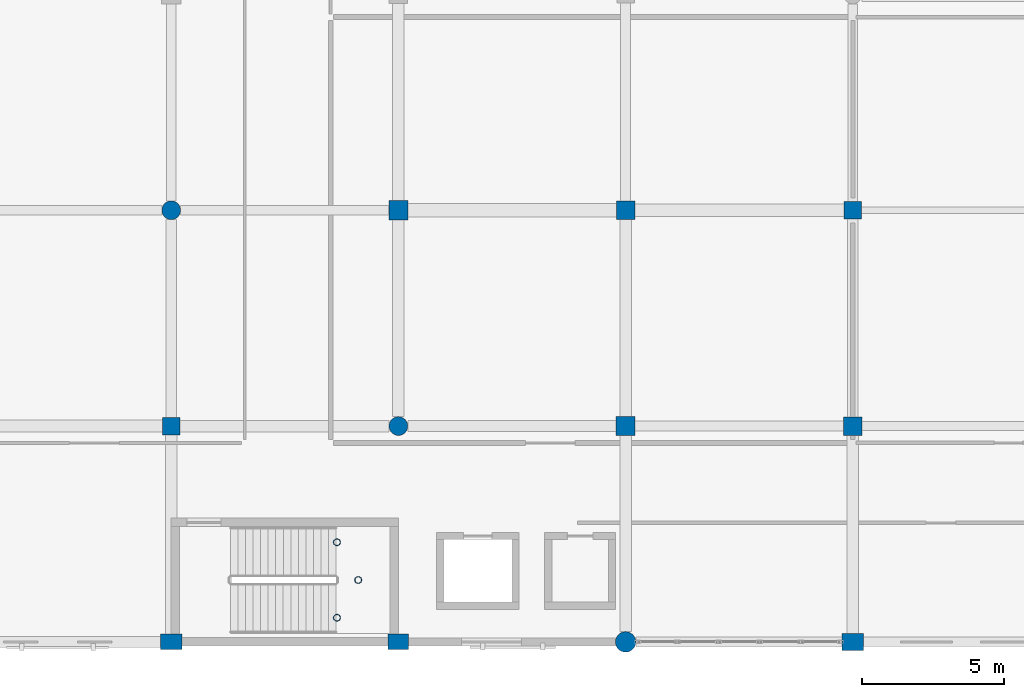
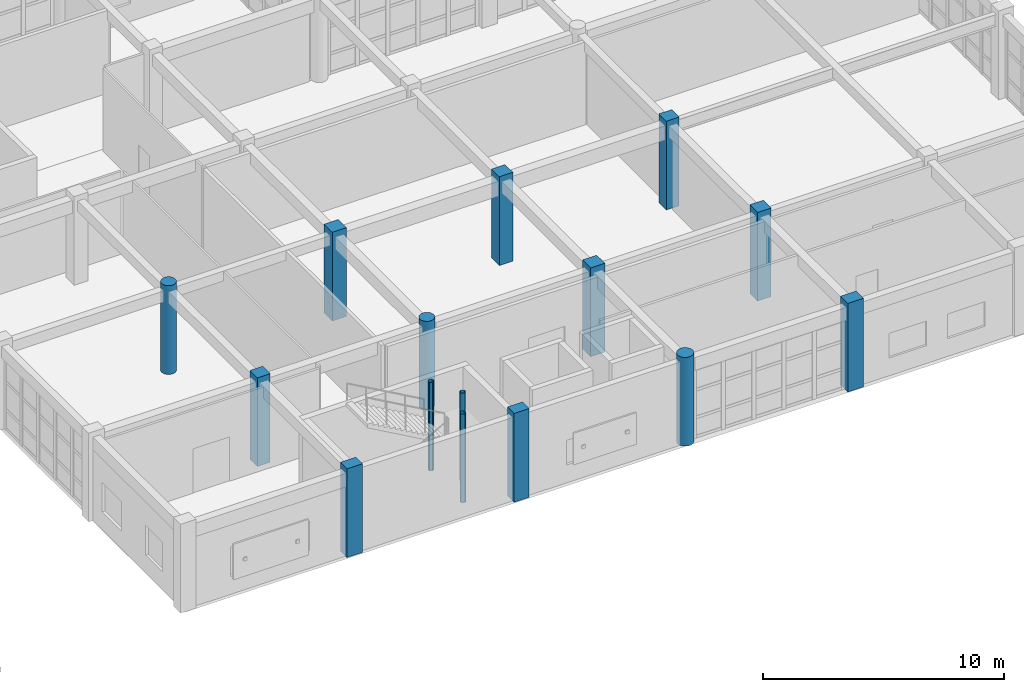
# One storey, part 27 of 160: 15 columns.
"""IFC4 building model written with IfcOpenShell, lengths in metres."""

from ifc_helpers import new_model, si_unit, direction, frame, origin, origin_2d, place, context, subcontext, project, spatial, rectangle, circle, hollow_circle, extrude, material, material_profile, profile_set, type_object, element, save


model = new_model("IFC4")

# Units and contexts
model_context = context("Model", 3, precision=1e-05, world=origin(), true_north=direction((0.0, 1.0)))
body_context = subcontext(model_context, "Body", "Model", "MODEL_VIEW")
ifc_project = project(units=[si_unit("LENGTHUNIT", "METRE"), si_unit("AREAUNIT", "SQUARE_METRE"), si_unit("VOLUMEUNIT", "CUBIC_METRE"), si_unit("PLANEANGLEUNIT", "RADIAN"), si_unit("MASSUNIT", "GRAM", prefix="KILO")], contexts=[model_context])

# Site, building, storey
site_placement = place(None, origin())
site = spatial("IfcSite", under=ifc_project, at=site_placement, CompositionType="ELEMENT")
building_placement = place(site_placement, origin())
building = spatial("IfcBuilding", under=site, at=building_placement, Name="Kharva Crest Polytechnic", CompositionType="ELEMENT")
storey_placement = place(building_placement, frame((0.0, 0.0, 4.5)))
storey = spatial("IfcBuildingStorey", under=building, at=storey_placement, Name="L01", CompositionType="ELEMENT", Elevation=4.5)

# Columns
ifc_material_1 = material(Name="Concrete C40/50", Category="concrete")
ifc_material_profile_1 = material_profile(ifc_material_1, rectangle(XDim=0.719970703125, YDim=0.550048828125, at=origin_2d()), Name="RECT 720 X 550")
ifc_profile_set_1 = profile_set([ifc_material_profile_1], Name="Concrete C40/50")
column_type_1 = type_object("IfcColumnType", Name="COL-EXT-720X550", PredefinedType="COLUMN", material=ifc_profile_set_1)
column_1_placement = place(storey_placement, frame((136.800048828125, 0.0, 0.0), z_axis=(0.0, 0.0, 1.0), x_axis=(1.0, 0.0, 0.0)))
element("IfcColumn", 1, at=column_1_placement, inside=storey, type_object=column_type_1, Name="L01 Column 18/A", PredefinedType="COLUMN", context=body_context, shape_type="SweptSolid", body=[
    extrude(rectangle(XDim=0.719970703125, YDim=0.550048828125, at=origin_2d()), origin(), (0.0, 0.0, 1.0), 4.5),
])
ifc_material_profile_2 = material_profile(ifc_material_1, rectangle(XDim=0.75, YDim=0.550048828125, at=origin_2d()), Name="RECT 750 X 550")
ifc_profile_set_2 = profile_set([ifc_material_profile_2], Name="Concrete C40/50")
column_type_2 = type_object("IfcColumnType", Name="COL-EXT-750X550", PredefinedType="COLUMN", material=ifc_profile_set_2)
column_2_placement = place(storey_placement, frame((128.800048828125, 0.0, 0.0), z_axis=(0.0, 0.0, 1.0), x_axis=(1.0, 0.0, 0.0)))
element("IfcColumn", 2, at=column_2_placement, inside=storey, type_object=column_type_2, Name="L01 Column 17/A", PredefinedType="COLUMN", context=body_context, shape_type="SweptSolid", body=[
    extrude(rectangle(XDim=0.75, YDim=0.550048828125, at=origin_2d()), origin(), (0.0, 0.0, 1.0), 4.5),
])
ifc_material_profile_3 = material_profile(ifc_material_1, rectangle(XDim=0.75, YDim=0.60009765625, at=origin_2d()), Name="RECT 750 X 600")
ifc_profile_set_3 = profile_set([ifc_material_profile_3], Name="Concrete C40/50")
column_type_3 = type_object("IfcColumnType", Name="COL-EXT-750X600", PredefinedType="COLUMN", material=ifc_profile_set_3)
column_3_placement = place(storey_placement, frame((152.800048828125, 0.0, 0.0), z_axis=(0.0, 0.0, 1.0), x_axis=(1.0, 0.0, 0.0)))
element("IfcColumn", 3, at=column_3_placement, inside=storey, type_object=column_type_3, Name="L01 Column 20/A", PredefinedType="COLUMN", context=body_context, shape_type="SweptSolid", body=[
    extrude(rectangle(XDim=0.75, YDim=0.60009765625, at=origin_2d()), origin(), (0.0, 0.0, 1.0), 4.5),
])
ifc_material_profile_4 = material_profile(ifc_material_1, circle(Radius=0.360107421875, at=origin_2d()), Name="DIA 720")
ifc_profile_set_4 = profile_set([ifc_material_profile_4], Name="Concrete C40/50")
column_type_4 = type_object("IfcColumnType", Name="COL-EXT-DIA720", PredefinedType="COLUMN", material=ifc_profile_set_4)
column_4_placement = place(storey_placement, frame((144.800048828125, 0.0, 0.0), z_axis=(0.0, 0.0, 1.0), x_axis=(1.0, 0.0, 0.0)))
element("IfcColumn", 4, at=column_4_placement, inside=storey, type_object=column_type_4, Name="L01 Column 19/A", PredefinedType="COLUMN", context=body_context, shape_type="SweptSolid", body=[
    extrude(circle(Radius=0.360107421875, at=origin_2d()), origin(), (0.0, 0.0, 1.0), 4.5),
])
ifc_material_profile_5 = material_profile(ifc_material_1, rectangle(XDim=0.6201171875, YDim=0.6201171875, at=origin_2d()), Name="RECT 620 X 620")
ifc_profile_set_5 = profile_set([ifc_material_profile_5], Name="Concrete C40/50")
column_type_5 = type_object("IfcColumnType", Name="COL-INT-620X620", PredefinedType="COLUMN", material=ifc_profile_set_5)
for number, where, z_axis, x_axis, name in (
    (5, (128.800048828125, 7.60009765625, 0.0), (0.0, 0.0, 1.0), (1.0, 0.0, 0.0), "L01 Column 17/B"),
    (6, (152.800048828125, 15.199951171875, 0.0), (0.0, 0.0, 1.0), (1.0, 0.0, 0.0), "L01 Column 20/C"),
):
    element("IfcColumn", number, at=place(storey_placement, frame(where, z_axis=z_axis, x_axis=x_axis)), inside=storey, type_object=column_type_5, Name=name, PredefinedType="COLUMN", context=body_context, shape_type="SweptSolid", body=[
        extrude(rectangle(XDim=0.6201171875, YDim=0.6201171875, at=origin_2d()), origin(), (0.0, 0.0, 1.0), 4.5),
    ])
ifc_material_profile_6 = material_profile(ifc_material_1, rectangle(XDim=0.64990234375, YDim=0.64990234375, at=origin_2d()), Name="RECT 650 X 650")
ifc_profile_set_6 = profile_set([ifc_material_profile_6], Name="Concrete C40/50")
column_type_6 = type_object("IfcColumnType", Name="COL-INT-650X650", PredefinedType="COLUMN", material=ifc_profile_set_6)
for number, where, z_axis, x_axis, name in (
    (7, (144.800048828125, 15.199951171875, 0.0), (0.0, 0.0, 1.0), (1.0, 0.0, 0.0), "L01 Column 19/C"),
    (8, (152.800048828125, 7.60009765625, 0.0), (0.0, 0.0, 1.0), (1.0, 0.0, 0.0), "L01 Column 20/B"),
):
    element("IfcColumn", number, at=place(storey_placement, frame(where, z_axis=z_axis, x_axis=x_axis)), inside=storey, type_object=column_type_6, Name=name, PredefinedType="COLUMN", context=body_context, shape_type="SweptSolid", body=[
        extrude(rectangle(XDim=0.64990234375, YDim=0.64990234375, at=origin_2d()), origin(), (0.0, 0.0, 1.0), 4.5),
    ])
ifc_material_profile_7 = material_profile(ifc_material_1, rectangle(XDim=0.679931640625, YDim=0.679931640625, at=origin_2d()), Name="RECT 680 X 680")
ifc_profile_set_7 = profile_set([ifc_material_profile_7], Name="Concrete C40/50")
column_type_7 = type_object("IfcColumnType", Name="COL-INT-680X680", PredefinedType="COLUMN", material=ifc_profile_set_7)
for number, where, z_axis, x_axis, name in (
    (9, (136.800048828125, 15.199951171875, 0.0), (0.0, 0.0, 1.0), (1.0, 0.0, 0.0), "L01 Column 18/C"),
    (10, (144.800048828125, 7.60009765625, 0.0), (0.0, 0.0, 1.0), (1.0, 0.0, 0.0), "L01 Column 19/B"),
):
    element("IfcColumn", number, at=place(storey_placement, frame(where, z_axis=z_axis, x_axis=x_axis)), inside=storey, type_object=column_type_7, Name=name, PredefinedType="COLUMN", context=body_context, shape_type="SweptSolid", body=[
        extrude(rectangle(XDim=0.679931640625, YDim=0.679931640625, at=origin_2d()), origin(), (0.0, 0.0, 1.0), 4.5),
    ])
ifc_material_profile_8 = material_profile(ifc_material_1, circle(Radius=0.330078125, at=origin_2d()), Name="DIA 660")
ifc_profile_set_8 = profile_set([ifc_material_profile_8], Name="Concrete C40/50")
column_type_8 = type_object("IfcColumnType", Name="COL-INT-DIA660", PredefinedType="COLUMN", material=ifc_profile_set_8)
for number, where, z_axis, x_axis, name in (
    (11, (128.800048828125, 15.199951171875, 0.0), (0.0, 0.0, 1.0), (1.0, 0.0, 0.0), "L01 Column 17/C"),
    (12, (136.800048828125, 7.60009765625, 0.0), (0.0, 0.0, 1.0), (1.0, 0.0, 0.0), "L01 Column 18/B"),
):
    element("IfcColumn", number, at=place(storey_placement, frame(where, z_axis=z_axis, x_axis=x_axis)), inside=storey, type_object=column_type_8, Name=name, PredefinedType="COLUMN", context=body_context, shape_type="SweptSolid", body=[
        extrude(circle(Radius=0.330078125, at=origin_2d()), origin(), (0.0, 0.0, 1.0), 4.5),
    ])
ifc_material_2 = material(Name="Steel S355", Category="steel")
ifc_material_profile_9 = material_profile(ifc_material_2, hollow_circle(Radius=0.122314453125, WallThickness=0.010009765625, at=origin_2d()), Name="CHS 244.5X10.0")
ifc_profile_set_9 = profile_set([ifc_material_profile_9], Name="Steel S355")
column_type_9 = type_object("IfcColumnType", Name="COL-STL-CHS244", PredefinedType="COLUMN", material=ifc_profile_set_9)
for number, where, z_axis, x_axis, name in (
    (13, (134.635009765625, 0.85009765625, 0.0), (0.0, 0.0, 1.0), (1.0, 0.0, 0.0), "L01 Stair ST-06 Landing Support Column SW"),
    (14, (134.635009765625, 3.510009765625, 0.0), (0.0, 0.0, 1.0), (1.0, 0.0, 0.0), "L01 Stair ST-06 Landing Support Column NW"),
    (15, (135.385009765625, 2.179931640625, 0.0), (0.0, 0.0, 1.0), (1.0, 0.0, 0.0), "L01 Stair ST-06 Landing Support Column EM"),
):
    element("IfcColumn", number, at=place(storey_placement, frame(where, z_axis=z_axis, x_axis=x_axis)), inside=storey, type_object=column_type_9, Name=name, PredefinedType="COLUMN", context=body_context, shape_type="SweptSolid", body=[
        extrude(hollow_circle(Radius=0.122314453125, WallThickness=0.010009765625, at=origin_2d()), origin(), (0.0, 0.0, 1.0), 4.5),
    ])

save(model, "model.ifc")
